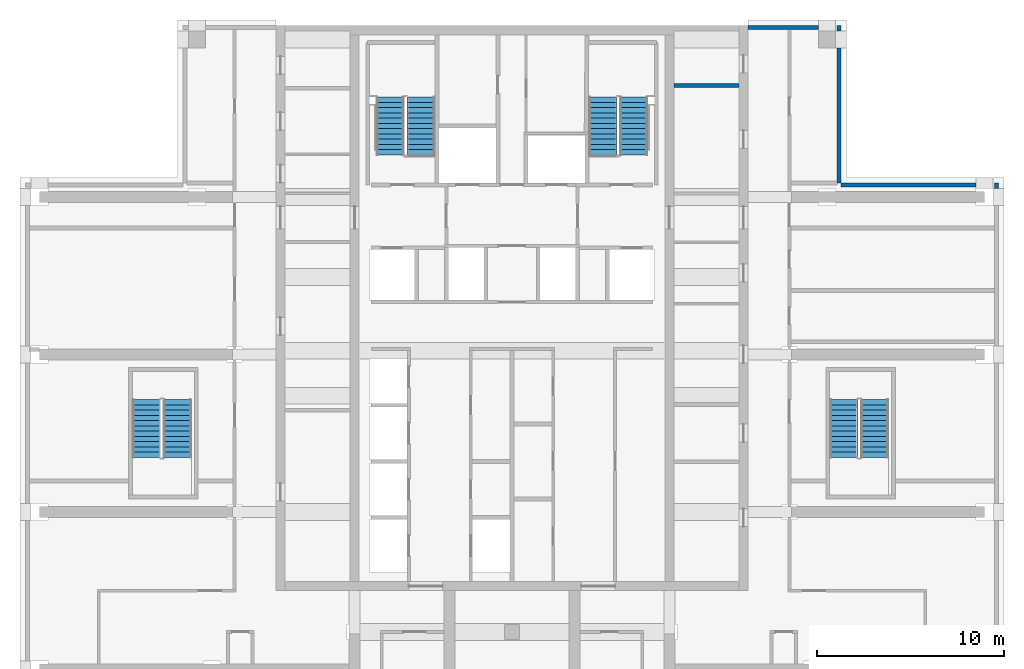
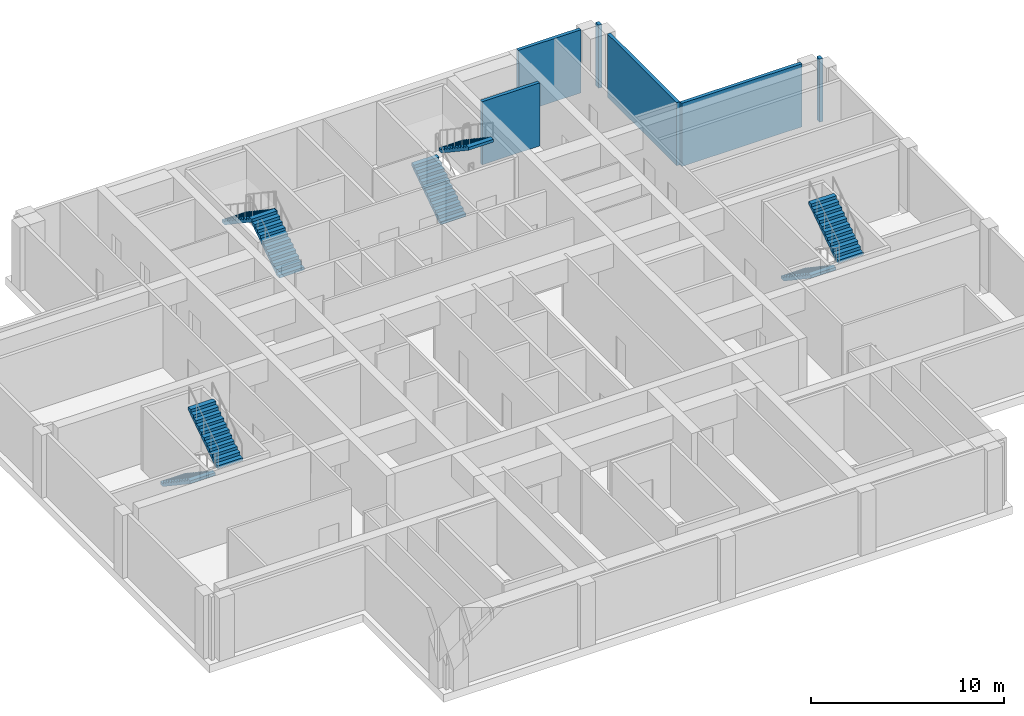
# One storey, part 6 of 11: 8 stair flights, 6 walls, 4 elements without a shape of their own.
"""IFC4 building model written with IfcOpenShell, lengths in metres."""

from ifc_helpers import new_model, si_unit, direction, frame, frame_2d, origin, place, context, subcontext, project, spatial, polyline, rectangle, outline, extrude, material, layer, layer_set, type_object, element, aggregate, save


model = new_model("IFC4")

# Units and contexts
model_context = context("Model", 3, precision=1e-05, world=origin(), true_north=direction((0.0, 1.0)))
body_context = subcontext(model_context, "Body", "Model", "MODEL_VIEW")
ifc_project = project(units=[si_unit("LENGTHUNIT", "METRE"), si_unit("AREAUNIT", "SQUARE_METRE"), si_unit("VOLUMEUNIT", "CUBIC_METRE"), si_unit("PLANEANGLEUNIT", "RADIAN"), si_unit("MASSUNIT", "GRAM", prefix="KILO")], contexts=[model_context])

# Site, building, storey
site_placement = place(None, origin())
site = spatial("IfcSite", under=ifc_project, at=site_placement, CompositionType="ELEMENT")
building_placement = place(site_placement, origin())
building = spatial("IfcBuilding", under=site, at=building_placement, Name="Vermilion Ogive Tower", CompositionType="ELEMENT")
storey_placement = place(building_placement, frame((0.0, 0.0, 264.85009765625)))
storey = spatial("IfcBuildingStorey", under=building, at=storey_placement, Name="L70", CompositionType="ELEMENT", Elevation=264.85009765625)

# Walls
ifc_material_1 = material(Name="Gypsum board partition on steel studs", Category="steel")
ifc_layer_1 = layer(ifc_material_1, 0.199951171875)
ifc_layer_set_1 = layer_set([ifc_layer_1], Name="Partition 200 party")
wall_type_1 = type_object("IfcWallType", Name="Partition 200 party", PredefinedType="PARTITIONING", material=ifc_layer_set_1)
wall_1_placement = place(storey_placement, frame((8.65087890625, 18.56005859375, 0.0), z_axis=(0.0, 0.0, 1.0), x_axis=(1.0, 0.0, 0.0)))
element("IfcWall", 1, at=wall_1_placement, inside=storey, type_object=wall_type_1, Name="L70-CKE-W-W006", PredefinedType="PARTITIONING", context=body_context, shape_type="SweptSolid", body=[
    extrude(rectangle(XDim=3.4482421875, YDim=0.199951171875, at=frame_2d((1.72412109375, 0.0))), origin(), (0.0, 0.0, 1.0), 4.0),
])
ifc_material_2 = material(Name="Aluminium louvre panels", Category="aluminium")
ifc_layer_2 = layer(ifc_material_2, 0.199951171875)
ifc_layer_set_2 = layer_set([ifc_layer_2], Name="Plant louvre wall")
wall_type_2 = type_object("IfcWallType", Name="Plant louvre wall", PredefinedType="STANDARD", material=ifc_layer_set_2)
wall_2_placement = place(storey_placement, frame((25.85009765625, 13.050048828125, 0.0), z_axis=(0.0, 0.0, 1.0), x_axis=(0.0, 1.0, 0.0)))
element("IfcWall", 2, at=wall_2_placement, inside=storey, type_object=wall_type_2, Name="Window wall E4", PredefinedType="STANDARD", context=body_context, shape_type="SweptSolid", body=[
    extrude(rectangle(XDim=0.300048828125, YDim=0.199951171875, at=frame_2d((0.14990234375, 0.0))), origin(), (0.0, 0.0, 1.0), 4.0),
])
for number, where, z_axis, x_axis, name in (
    (3, (24.75, 13.25, 0.0), (0.0, 0.0, 1.0), (-1.0, 0.0, 0.0), "Window wall X31"),
    (4, (17.449951171875, 13.35009765625, 0.0), (0.0, 0.0, 1.0), (0.0, 1.0, 0.0), "Window wall X41"),
):
    element("IfcWall", number, at=place(storey_placement, frame(where, z_axis=z_axis, x_axis=x_axis)), inside=storey, type_object=wall_type_2, Name=name, PredefinedType="STANDARD", context=body_context, shape_type="SweptSolid", body=[
        extrude(rectangle(XDim=7.199951171875, YDim=0.199951171875, at=frame_2d((3.60009765625, 0.0))), origin(), (0.0, 0.0, 1.0), 4.0),
    ])
wall_3_placement = place(storey_placement, frame((17.449951171875, 21.449951171875, 0.0), z_axis=(0.0, 0.0, 1.0), x_axis=(0.0, 1.0, 0.0)))
element("IfcWall", 5, at=wall_3_placement, inside=storey, type_object=wall_type_2, Name="Window wall X42", PredefinedType="STANDARD", context=body_context, shape_type="SweptSolid", body=[
    extrude(rectangle(XDim=0.300048828125, YDim=0.199951171875, at=frame_2d((0.14990234375, 0.0))), origin(), (0.0, 0.0, 1.0), 4.0),
])
wall_4_placement = place(storey_placement, frame((16.35009765625, 21.64990234375, 0.0), z_axis=(0.0, 0.0, 1.0), x_axis=(-1.0, 0.0, 0.0)))
element("IfcWall", 6, at=wall_4_placement, inside=storey, type_object=wall_type_2, Name="Window wall N11", PredefinedType="STANDARD", context=body_context, shape_type="SweptSolid", body=[
    extrude(rectangle(XDim=3.75, YDim=0.199951171875, at=frame_2d((1.875, 0.0))), origin(), (0.0, 0.0, 1.0), 4.0),
])

# Stair, stair flights
ifc_material_3 = material(Name="Concrete B40", Category="concrete")
stair_type = type_object("IfcStairType", Name="Exit stair 1500", PredefinedType="HALF_TURN_STAIR", material=ifc_material_3)
stair_1_placement = place(storey_placement, origin())
stair_1 = element("IfcStair", 7, at=stair_1_placement, inside=storey, type_object=stair_type, Name="L70 Exit Stair ST1", PredefinedType="HALF_TURN_STAIR")
ifc_material_4 = material(Name="Concrete B40", Category="concrete")
stair_flight_type = type_object("IfcStairFlightType", Name="Stair flight 1500", PredefinedType="STRAIGHT", material=ifc_material_4)
stair_flight_1_placement = place(storey_placement, frame((-4.85009765625, 14.85009765625, 0.0), z_axis=(0.0, 0.0, 1.0), x_axis=(0.0, 1.0, 0.0)))
stair_flight_1 = element("IfcStairFlight", 8, at=stair_flight_1_placement, type_object=stair_flight_type, Name="ST1 flight 1", NumberOfRisers=12, NumberOfTreads=11, PredefinedType="STRAIGHT", RiserHeight=0.1875, TreadLength=0.28, context=body_context, shape_type="SweptSolid", body=[
    extrude(outline(polyline([(0.0, 0.0), (0.0, 0.1875), (0.280029296875, 0.1875), (0.280029296875, 0.375), (0.56005859375, 0.375), (0.56005859375, 0.5625), (0.840087890625, 0.5625), (0.840087890625, 0.75), (1.1201171875, 0.75), (1.1201171875, 0.9375), (1.39990234375, 0.9375), (1.39990234375, 1.125), (1.679931640625, 1.125), (1.679931640625, 1.3125), (1.9599609375, 1.3125), (1.9599609375, 1.5), (2.239990234375, 1.5), (2.239990234375, 1.6875), (2.52001953125, 1.6875), (2.52001953125, 1.875), (2.800048828125, 1.875), (2.800048828125, 2.0625), (3.080078125, 2.0625), (3.080078125, 2.25), (3.080078125, 1.882080078125), (0.26953125, 0.0), (0.0, 0.0)])), frame((0.0, 0.75, 0.0), z_axis=(0.0, -1.0, 0.0), x_axis=(1.0, 0.0, 0.0)), (0.0, 0.0, 1.0), 1.5),
])
stair_flight_2_placement = place(storey_placement, frame((-6.5, 17.929931640625, 2.25), z_axis=(0.0, 0.0, 1.0), x_axis=(0.0, -1.0, 0.0)))
stair_flight_2 = element("IfcStairFlight", 9, at=stair_flight_2_placement, type_object=stair_flight_type, Name="ST1 flight 2", NumberOfRisers=12, NumberOfTreads=11, PredefinedType="STRAIGHT", RiserHeight=0.1875, TreadLength=0.28, context=body_context, shape_type="SweptSolid", body=[
    extrude(outline(polyline([(0.0, 0.0), (0.0, 0.1875), (0.280029296875, 0.1875), (0.280029296875, 0.375), (0.56005859375, 0.375), (0.56005859375, 0.5625), (0.840087890625, 0.5625), (0.840087890625, 0.75), (1.1201171875, 0.75), (1.1201171875, 0.9375), (1.39990234375, 0.9375), (1.39990234375, 1.125), (1.679931640625, 1.125), (1.679931640625, 1.3125), (1.9599609375, 1.3125), (1.9599609375, 1.5), (2.239990234375, 1.5), (2.239990234375, 1.6875), (2.52001953125, 1.6875), (2.52001953125, 1.875), (2.800048828125, 1.875), (2.800048828125, 2.0625), (3.080078125, 2.0625), (3.080078125, 2.25), (3.080078125, 1.882080078125), (0.26953125, 0.0), (0.0, 0.0)])), frame((0.0, 0.75, 0.0), z_axis=(0.0, -1.0, 0.0), x_axis=(1.0, 0.0, 0.0)), (0.0, 0.0, 1.0), 1.5),
])
aggregate(stair_1, [stair_flight_1, stair_flight_2])

stair_2_placement = place(storey_placement, origin())
stair_2 = element("IfcStair", 10, at=stair_2_placement, inside=storey, type_object=stair_type, Name="L70 Exit Stair ST2", PredefinedType="HALF_TURN_STAIR")
stair_flight_3_placement = place(storey_placement, frame((4.85009765625, 14.85009765625, 0.0), z_axis=(0.0, 0.0, 1.0), x_axis=(0.0, 1.0, 0.0)))
stair_flight_3 = element("IfcStairFlight", 11, at=stair_flight_3_placement, type_object=stair_flight_type, Name="ST2 flight 1", NumberOfRisers=12, NumberOfTreads=11, PredefinedType="STRAIGHT", RiserHeight=0.1875, TreadLength=0.28, context=body_context, shape_type="SweptSolid", body=[
    extrude(outline(polyline([(0.0, 0.0), (0.0, 0.1875), (0.280029296875, 0.1875), (0.280029296875, 0.375), (0.56005859375, 0.375), (0.56005859375, 0.5625), (0.840087890625, 0.5625), (0.840087890625, 0.75), (1.1201171875, 0.75), (1.1201171875, 0.9375), (1.39990234375, 0.9375), (1.39990234375, 1.125), (1.679931640625, 1.125), (1.679931640625, 1.3125), (1.9599609375, 1.3125), (1.9599609375, 1.5), (2.239990234375, 1.5), (2.239990234375, 1.6875), (2.52001953125, 1.6875), (2.52001953125, 1.875), (2.800048828125, 1.875), (2.800048828125, 2.0625), (3.080078125, 2.0625), (3.080078125, 2.25), (3.080078125, 1.882080078125), (0.26953125, 0.0), (0.0, 0.0)])), frame((0.0, 0.75, 0.0), z_axis=(0.0, -1.0, 0.0), x_axis=(1.0, 0.0, 0.0)), (0.0, 0.0, 1.0), 1.5),
])
stair_flight_4_placement = place(storey_placement, frame((6.5, 17.929931640625, 2.25), z_axis=(0.0, 0.0, 1.0), x_axis=(0.0, -1.0, 0.0)))
stair_flight_4 = element("IfcStairFlight", 12, at=stair_flight_4_placement, type_object=stair_flight_type, Name="ST2 flight 2", NumberOfRisers=12, NumberOfTreads=11, PredefinedType="STRAIGHT", RiserHeight=0.1875, TreadLength=0.28, context=body_context, shape_type="SweptSolid", body=[
    extrude(outline(polyline([(0.0, 0.0), (0.0, 0.1875), (0.280029296875, 0.1875), (0.280029296875, 0.375), (0.56005859375, 0.375), (0.56005859375, 0.5625), (0.840087890625, 0.5625), (0.840087890625, 0.75), (1.1201171875, 0.75), (1.1201171875, 0.9375), (1.39990234375, 0.9375), (1.39990234375, 1.125), (1.679931640625, 1.125), (1.679931640625, 1.3125), (1.9599609375, 1.3125), (1.9599609375, 1.5), (2.239990234375, 1.5), (2.239990234375, 1.6875), (2.52001953125, 1.6875), (2.52001953125, 1.875), (2.800048828125, 1.875), (2.800048828125, 2.0625), (3.080078125, 2.0625), (3.080078125, 2.25), (3.080078125, 1.882080078125), (0.26953125, 0.0), (0.0, 0.0)])), frame((0.0, 0.75, 0.0), z_axis=(0.0, -1.0, 0.0), x_axis=(1.0, 0.0, 0.0)), (0.0, 0.0, 1.0), 1.5),
])
aggregate(stair_2, [stair_flight_3, stair_flight_4])

stair_3_placement = place(storey_placement, origin())
stair_3 = element("IfcStair", 13, at=stair_3_placement, inside=storey, type_object=stair_type, Name="L70 Exit Stair ST8", PredefinedType="HALF_TURN_STAIR")
stair_flight_5_placement = place(storey_placement, frame((17.699951171875, 1.800048828125, 0.0), z_axis=(0.0, 0.0, 1.0), x_axis=(0.0, -1.0, 0.0)))
stair_flight_5 = element("IfcStairFlight", 14, at=stair_flight_5_placement, type_object=stair_flight_type, Name="ST8 flight 1", NumberOfRisers=12, NumberOfTreads=11, PredefinedType="STRAIGHT", RiserHeight=0.1875, TreadLength=0.28, context=body_context, shape_type="SweptSolid", body=[
    extrude(outline(polyline([(0.0, 0.0), (0.0, 0.1875), (0.280029296875, 0.1875), (0.280029296875, 0.375), (0.56005859375, 0.375), (0.56005859375, 0.5625), (0.840087890625, 0.5625), (0.840087890625, 0.75), (1.1201171875, 0.75), (1.1201171875, 0.9375), (1.39990234375, 0.9375), (1.39990234375, 1.125), (1.679931640625, 1.125), (1.679931640625, 1.3125), (1.9599609375, 1.3125), (1.9599609375, 1.5), (2.239990234375, 1.5), (2.239990234375, 1.6875), (2.52001953125, 1.6875), (2.52001953125, 1.875), (2.800048828125, 1.875), (2.800048828125, 2.0625), (3.080078125, 2.0625), (3.080078125, 2.25), (3.080078125, 1.882080078125), (0.26953125, 0.0), (0.0, 0.0)])), frame((0.0, 0.75, 0.0), z_axis=(0.0, -1.0, 0.0), x_axis=(1.0, 0.0, 0.0)), (0.0, 0.0, 1.0), 1.5),
])
stair_flight_6_placement = place(storey_placement, frame((19.35009765625, -1.280029296875, 2.25), z_axis=(0.0, 0.0, 1.0), x_axis=(0.0, 1.0, 0.0)))
stair_flight_6 = element("IfcStairFlight", 15, at=stair_flight_6_placement, type_object=stair_flight_type, Name="ST8 flight 2", NumberOfRisers=12, NumberOfTreads=11, PredefinedType="STRAIGHT", RiserHeight=0.1875, TreadLength=0.28, context=body_context, shape_type="SweptSolid", body=[
    extrude(outline(polyline([(0.0, 0.0), (0.0, 0.1875), (0.280029296875, 0.1875), (0.280029296875, 0.375), (0.56005859375, 0.375), (0.56005859375, 0.5625), (0.840087890625, 0.5625), (0.840087890625, 0.75), (1.1201171875, 0.75), (1.1201171875, 0.9375), (1.39990234375, 0.9375), (1.39990234375, 1.125), (1.679931640625, 1.125), (1.679931640625, 1.3125), (1.9599609375, 1.3125), (1.9599609375, 1.5), (2.239990234375, 1.5), (2.239990234375, 1.6875), (2.52001953125, 1.6875), (2.52001953125, 1.875), (2.800048828125, 1.875), (2.800048828125, 2.0625), (3.080078125, 2.0625), (3.080078125, 2.25), (3.080078125, 1.882080078125), (0.26953125, 0.0), (0.0, 0.0)])), frame((0.0, 0.75, 0.0), z_axis=(0.0, -1.0, 0.0), x_axis=(1.0, 0.0, 0.0)), (0.0, 0.0, 1.0), 1.5),
])
aggregate(stair_3, [stair_flight_5, stair_flight_6])

stair_4_placement = place(storey_placement, origin())
stair_4 = element("IfcStair", 16, at=stair_4_placement, inside=storey, type_object=stair_type, Name="L70 Exit Stair ST9", PredefinedType="HALF_TURN_STAIR")
stair_flight_7_placement = place(storey_placement, frame((-19.5, 1.800048828125, 0.0), z_axis=(0.0, 0.0, 1.0), x_axis=(0.0, -1.0, 0.0)))
stair_flight_7 = element("IfcStairFlight", 17, at=stair_flight_7_placement, type_object=stair_flight_type, Name="ST9 flight 1", NumberOfRisers=12, NumberOfTreads=11, PredefinedType="STRAIGHT", RiserHeight=0.1875, TreadLength=0.28, context=body_context, shape_type="SweptSolid", body=[
    extrude(outline(polyline([(0.0, 0.0), (0.0, 0.1875), (0.280029296875, 0.1875), (0.280029296875, 0.375), (0.56005859375, 0.375), (0.56005859375, 0.5625), (0.840087890625, 0.5625), (0.840087890625, 0.75), (1.1201171875, 0.75), (1.1201171875, 0.9375), (1.39990234375, 0.9375), (1.39990234375, 1.125), (1.679931640625, 1.125), (1.679931640625, 1.3125), (1.9599609375, 1.3125), (1.9599609375, 1.5), (2.239990234375, 1.5), (2.239990234375, 1.6875), (2.52001953125, 1.6875), (2.52001953125, 1.875), (2.800048828125, 1.875), (2.800048828125, 2.0625), (3.080078125, 2.0625), (3.080078125, 2.25), (3.080078125, 1.882080078125), (0.26953125, 0.0), (0.0, 0.0)])), frame((0.0, 0.75, 0.0), z_axis=(0.0, -1.0, 0.0), x_axis=(1.0, 0.0, 0.0)), (0.0, 0.0, 1.0), 1.5),
])
stair_flight_8_placement = place(storey_placement, frame((-17.85009765625, -1.280029296875, 2.25), z_axis=(0.0, 0.0, 1.0), x_axis=(0.0, 1.0, 0.0)))
stair_flight_8 = element("IfcStairFlight", 18, at=stair_flight_8_placement, type_object=stair_flight_type, Name="ST9 flight 2", NumberOfRisers=12, NumberOfTreads=11, PredefinedType="STRAIGHT", RiserHeight=0.1875, TreadLength=0.28, context=body_context, shape_type="SweptSolid", body=[
    extrude(outline(polyline([(0.0, 0.0), (0.0, 0.1875), (0.280029296875, 0.1875), (0.280029296875, 0.375), (0.56005859375, 0.375), (0.56005859375, 0.5625), (0.840087890625, 0.5625), (0.840087890625, 0.75), (1.1201171875, 0.75), (1.1201171875, 0.9375), (1.39990234375, 0.9375), (1.39990234375, 1.125), (1.679931640625, 1.125), (1.679931640625, 1.3125), (1.9599609375, 1.3125), (1.9599609375, 1.5), (2.239990234375, 1.5), (2.239990234375, 1.6875), (2.52001953125, 1.6875), (2.52001953125, 1.875), (2.800048828125, 1.875), (2.800048828125, 2.0625), (3.080078125, 2.0625), (3.080078125, 2.25), (3.080078125, 1.882080078125), (0.26953125, 0.0), (0.0, 0.0)])), frame((0.0, 0.75, 0.0), z_axis=(0.0, -1.0, 0.0), x_axis=(1.0, 0.0, 0.0)), (0.0, 0.0, 1.0), 1.5),
])
aggregate(stair_4, [stair_flight_7, stair_flight_8])

save(model, "model.ifc")
